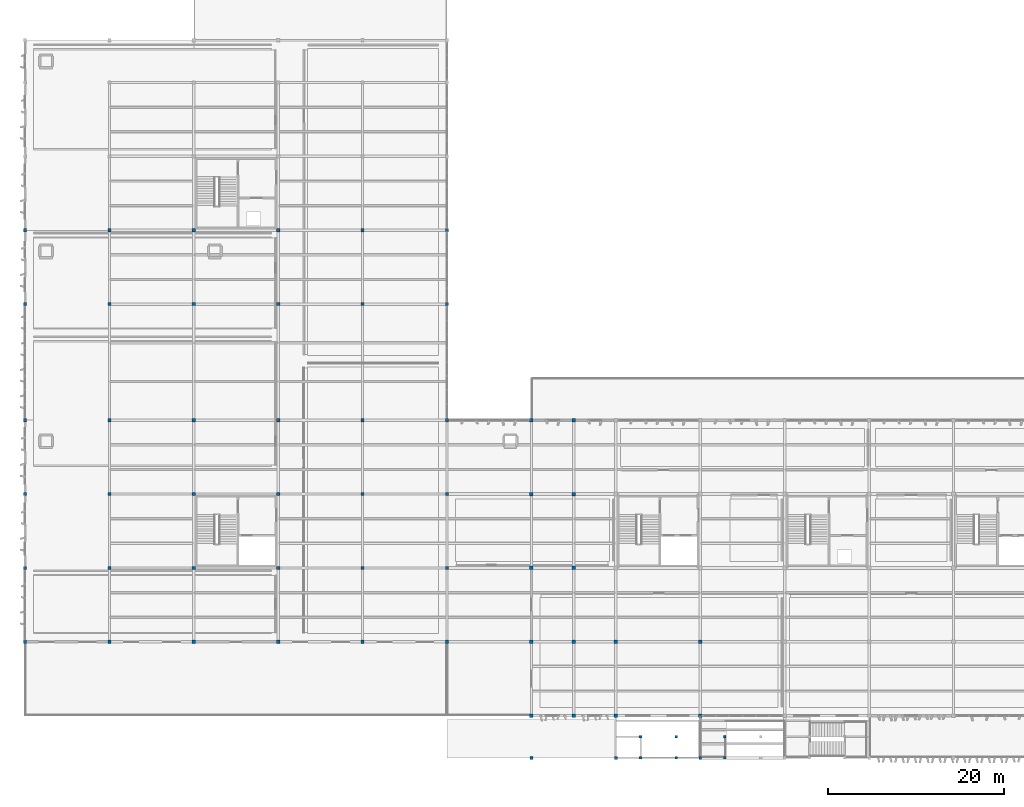
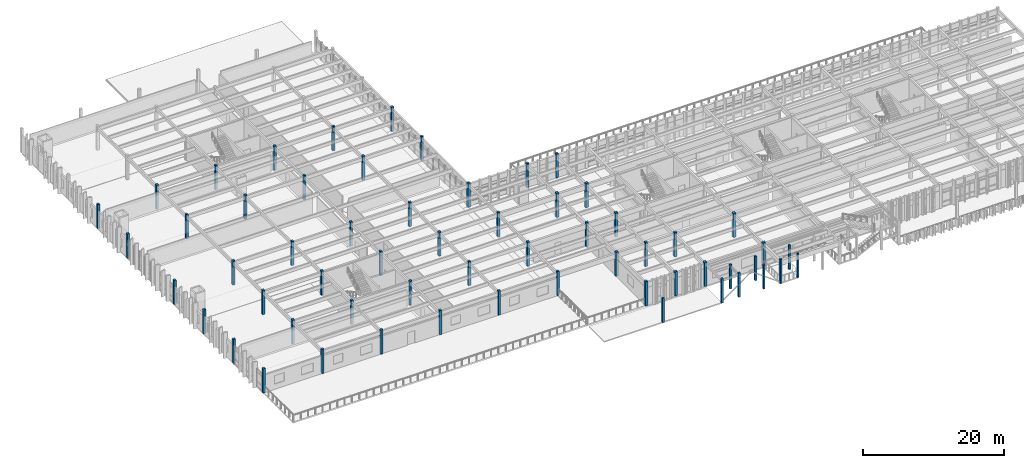
# One storey, part 1 of 61: 59 columns.
"""IFC4 building model written with IfcOpenShell, lengths in metres."""

import ifcopenshell
import ifcopenshell.guid

model = None  # the IFC model being written
_history = None  # IfcOwnerHistory: only IFC2X3 demands one
_inside = {}  # id of a spatial element -> (the spatial element, [elements in it])
_under = {}  # id of a project, library or spatial element -> (it, [spatial elements below it])
_declared = {}  # id of a project -> (the project, [libraries it declares])
_typed = {}  # id of a type object -> (the type object, [elements of that type])
_made_of = {}  # id of a material, layer set ... -> (it, [elements and type objects made of it])


def new_model(schema):
    """Start an empty IFC model of exactly this schema.

    Asked for "IFC4X3", IfcOpenShell would pick the latest addendum, in which some entities
    have other attributes; the version numbers below select the first issue.
    IFC2X3 requires an IfcOwnerHistory on every rooted entity: one is made here for all.
    """
    global model, _history
    if schema == "IFC4X3":
        model = ifcopenshell.file(schema_version=(4, 3, 0, 0))
    else:
        model = ifcopenshell.file(schema=schema)
    _inside.clear()
    _under.clear()
    _declared.clear()
    _typed.clear()
    _made_of.clear()
    _history = None
    if model.schema == "IFC2X3":
        org = make("IfcOrganization", Name="unknown")
        user = make(
            "IfcPersonAndOrganization",
            ThePerson=make("IfcPerson", FamilyName="unknown"),
            TheOrganization=org,
        )
        app = make(
            "IfcApplication",
            ApplicationDeveloper=org,
            Version="unknown",
            ApplicationFullName="unknown",
            ApplicationIdentifier="unknown",
        )
        _history = make(
            "IfcOwnerHistory",
            OwningUser=user,
            OwningApplication=app,
            ChangeAction="ADDED",
            CreationDate=0,
        )
    return model


def make(cls, **values):
    """One entity of the class cls with the attributes given. An attribute that is None is left unset."""
    return model.create_entity(
        cls, **{name: value for name, value in values.items() if value is not None}
    )


def rooted(cls, **values):
    """An entity with a GlobalId (a new one), such as an element, a storey or a relation."""
    return make(cls, GlobalId=ifcopenshell.guid.new(), OwnerHistory=_history, **values)


def si_unit(unit_type, name, prefix=None):
    """IfcSIUnit, for example si_unit("LENGTHUNIT", "METRE", prefix="MILLI")."""
    return make("IfcSIUnit", UnitType=unit_type, Prefix=prefix, Name=name)


def assignment(units):
    """IfcUnitAssignment: the units of a project."""
    return None if units is None else make("IfcUnitAssignment", Units=units)


def point(xyz):
    """IfcCartesianPoint."""
    return None if xyz is None else make("IfcCartesianPoint", Coordinates=xyz)


def direction(xyz):
    """IfcDirection."""
    return None if xyz is None else make("IfcDirection", DirectionRatios=xyz)


def frame(location, z_axis=None, x_axis=None):
    """IfcAxis2Placement3D, a coordinate frame: its origin and axes. An axis left out is left unset."""
    return make(
        "IfcAxis2Placement3D",
        Location=point(location),
        Axis=direction(z_axis),
        RefDirection=direction(x_axis),
    )


def frame_2d(location, x_axis=None):
    """IfcAxis2Placement2D, a coordinate frame in the plane: its origin and x axis."""
    return make(
        "IfcAxis2Placement2D", Location=point(location), RefDirection=direction(x_axis)
    )


def origin():
    """The frame at (0, 0, 0) with its axes left unset."""
    return frame((0.0, 0.0, 0.0))


def origin_2d():
    """The frame at (0, 0) in the plane with its x axis left unset."""
    return frame_2d((0.0, 0.0))


def place(relative_to, where):
    """IfcLocalPlacement: puts the frame where relative to a parent placement (None: the world)."""
    return make(
        "IfcLocalPlacement", PlacementRelTo=relative_to, RelativePlacement=where
    )


def context(
    kind, dimensions, precision=None, world=None, true_north=None, identifier=None
):
    """IfcGeometricRepresentationContext, for example the 3D "Model" context."""
    return make(
        "IfcGeometricRepresentationContext",
        ContextIdentifier=identifier,
        ContextType=kind,
        CoordinateSpaceDimension=dimensions,
        Precision=precision,
        WorldCoordinateSystem=world,
        TrueNorth=true_north,
    )


def subcontext(parent, identifier, kind, view, scale=None):
    """IfcGeometricRepresentationSubContext, for example "Body" below "Model"."""
    return make(
        "IfcGeometricRepresentationSubContext",
        ContextIdentifier=identifier,
        ContextType=kind,
        ParentContext=parent,
        TargetScale=scale,
        TargetView=view,
    )


def project(units=None, contexts=None):
    """IfcProject with its units and contexts."""
    return rooted(
        "IfcProject",
        Name="project",
        RepresentationContexts=contexts,
        UnitsInContext=assignment(units),
    )


def spatial(cls, under=None, at=None, **own):
    """A site, building, storey or space (cls), placed at a placement, below another one or the project."""
    s = rooted(cls, ObjectPlacement=at, **own)
    if under is not None:
        _under.setdefault(under.id(), (under, []))[1].append(s)
    return s


def profile(cls, at=None, kind="AREA", **sizes):
    """A parametric profile (cls). Its sizes go by their IFC names, for example OverallWidth=200.0."""
    return make(cls, ProfileType=kind, Position=at, **sizes)


def rectangle(**sizes):
    """IfcRectangleProfileDef."""
    return profile("IfcRectangleProfileDef", **sizes)


def extrude(swept, where, along, depth):
    """IfcExtrudedAreaSolid: the profile swept, set in the frame where, extruded along a direction by depth."""
    return make(
        "IfcExtrudedAreaSolid",
        SweptArea=swept,
        Position=where,
        ExtrudedDirection=direction(along),
        Depth=depth,
    )


def shape(context_of_items, identifier, shape_type, items):
    """IfcShapeRepresentation: the items that make up one representation, for example the "Body"."""
    return make(
        "IfcShapeRepresentation",
        ContextOfItems=context_of_items,
        RepresentationIdentifier=identifier,
        RepresentationType=shape_type,
        Items=items,
    )


def material(Name=None, Category=None):
    """IfcMaterial."""
    return make("IfcMaterial", Name=Name, Category=Category)


def material_profile(
    of_material, cross_section, Name=None, Category=None, Priority=None
):
    """IfcMaterialProfile: a cross section and its material."""
    return make(
        "IfcMaterialProfile",
        Name=Name,
        Material=of_material,
        Profile=cross_section,
        Priority=Priority,
        Category=Category,
    )


def profile_set(profiles, Name=None, composite=None):
    """IfcMaterialProfileSet."""
    return make(
        "IfcMaterialProfileSet",
        Name=Name,
        MaterialProfiles=profiles,
        CompositeProfile=composite,
    )


def made_of(thing, what):
    """Note that an element or type object is made of a material, layer set ...; save() writes the relation."""
    if what is not None:
        _made_of.setdefault(what.id(), (what, []))[1].append(thing)
    return thing


def type_object(cls, material=None, **own):
    """A type object (cls), such as IfcWallType, which elements share."""
    return made_of(rooted(cls, **own), material)


def element(
    cls,
    number,
    at=None,
    inside=None,
    cuts=None,
    type_object=None,
    material=None,
    context=None,
    identifier="Body",
    shape_type=None,
    held_by="IfcProductDefinitionShape",
    body=None,
    shapes=None,
    **own,
):
    """One element of the class cls, such as IfcWall. Its Tag is "e" and its number.

    at: its placement. inside: the storey or other place that contains it. cuts: it is an
    opening in that element (IfcRelVoidsElement). A single representation is given by context,
    identifier, shape_type and body (its items); several are given by shapes. held_by: the class
    of the entity that holds the representations. save() writes the other relations.
    """
    e = rooted(cls, Tag="e%d" % number, ObjectPlacement=at, **own)
    if body is not None:
        shapes = [shape(context, identifier, shape_type, body)]
    if shapes is not None:
        e.Representation = make(held_by, Representations=shapes)
    if inside is not None:
        _inside.setdefault(inside.id(), (inside, []))[1].append(e)
    if cuts is not None:
        rooted(
            "IfcRelVoidsElement", RelatingBuildingElement=cuts, RelatedOpeningElement=e
        )
    if type_object is not None:
        _typed.setdefault(type_object.id(), (type_object, []))[1].append(e)
    return made_of(e, material)


def aggregate(whole, parts):
    """IfcRelAggregates: a whole, such as a stair, and the parts it consists of."""
    return rooted("IfcRelAggregates", RelatingObject=whole, RelatedObjects=parts)


def save(model, path):
    """Write the relations noted so far, then the file.

    IfcRelAggregates (storeys below a building ...), IfcRelContainedInSpatialStructure (elements
    in a storey), IfcRelDefinesByType, IfcRelAssociatesMaterial and IfcRelDeclares: one each for
    every whole, place, type object, material and project.
    """
    for whole, parts in _under.values():
        aggregate(whole, parts)
    for where, things in _inside.values():
        rooted(
            "IfcRelContainedInSpatialStructure",
            RelatedElements=things,
            RelatingStructure=where,
        )
    for kind, things in _typed.values():
        rooted("IfcRelDefinesByType", RelatedObjects=things, RelatingType=kind)
    for what, things in _made_of.values():
        rooted("IfcRelAssociatesMaterial", RelatedObjects=things, RelatingMaterial=what)
    for by, libraries in _declared.values():
        rooted("IfcRelDeclares", RelatingContext=by, RelatedDefinitions=libraries)
    model.write(path)


model = new_model("IFC4")

# Units and contexts
model_context = context("Model", 3, precision=1e-05, world=origin(), true_north=direction((0.0, 1.0)))
body_context = subcontext(model_context, "Body", "Model", "MODEL_VIEW")
ifc_project = project(units=[si_unit("LENGTHUNIT", "METRE"), si_unit("AREAUNIT", "SQUARE_METRE"), si_unit("VOLUMEUNIT", "CUBIC_METRE"), si_unit("PLANEANGLEUNIT", "RADIAN"), si_unit("MASSUNIT", "GRAM", prefix="KILO")], contexts=[model_context])

# Site, building, storey
site_placement = place(None, origin())
site = spatial("IfcSite", under=ifc_project, at=site_placement, CompositionType="ELEMENT")
building_placement = place(site_placement, origin())
building = spatial("IfcBuilding", under=site, at=building_placement, Name="Kolvemor Railside Polytechnic", CompositionType="ELEMENT")
storey_placement = place(building_placement, frame((0.0, 0.0, 10.199951171875)))
storey = spatial("IfcBuildingStorey", under=building, at=storey_placement, Name="L02", CompositionType="ELEMENT", Elevation=10.199951171875)

# Columns
ifc_material_1 = material(Name="Glulam GL28h", Category="wood")
ifc_material_profile_1 = material_profile(ifc_material_1, rectangle(XDim=0.2900390625, YDim=0.2900390625, at=origin_2d()), Name="GL290x290")
ifc_profile_set_1 = profile_set([ifc_material_profile_1], Name="Glulam GL28h")
column_type_1 = type_object("IfcColumnType", Name="COL-GL290", PredefinedType="COLUMN", material=ifc_profile_set_1)
for number, where, z_axis, x_axis, name in (
    (1, (70.0, 0.0, 0.0), (0.0, 0.0, 1.0), (1.0, 0.0, 0.0), "Column L02-C072"),
    (2, (70.0, 2.39990234375, 0.0), (0.0, 0.0, 1.0), (1.0, 0.0, 0.0), "Column L02-C073"),
    (3, (74.050048828125, 0.0, 0.0), (0.0, 0.0, 1.0), (1.0, 0.0, 0.0), "Column L02-C074"),
    (4, (74.050048828125, 2.39990234375, 0.0), (0.0, 0.0, 1.0), (1.0, 0.0, 0.0), "Column L02-C075"),
    (5, (79.60009765625, 0.0, 0.0), (0.0, 0.0, 1.0), (1.0, 0.0, 0.0), "Column L02-C082"),
    (6, (79.60009765625, 2.39990234375, 0.0), (0.0, 0.0, 1.0), (1.0, 0.0, 0.0), "Column L02-C083"),
):
    element("IfcColumn", number, at=place(storey_placement, frame(where, z_axis=z_axis, x_axis=x_axis)), inside=storey, type_object=column_type_1, Name=name, PredefinedType="COLUMN", context=body_context, shape_type="SweptSolid", body=[
        extrude(rectangle(XDim=0.2900390625, YDim=0.2900390625, at=origin_2d()), origin(), (0.0, 0.0, 1.0), 4.199951171875),
    ])
ifc_material_2 = material(Name="Glulam GL28h", Category="wood")
ifc_material_profile_2 = material_profile(ifc_material_2, rectangle(XDim=0.31494140625, YDim=0.31494140625, at=origin_2d()), Name="GL315x315")
ifc_profile_set_2 = profile_set([ifc_material_profile_2], Name="Glulam GL28h")
column_type_2 = type_object("IfcColumnType", Name="COL-GL315", PredefinedType="COLUMN", material=ifc_profile_set_2)
for number, where, z_axis, x_axis, name in (
    (7, (57.60009765625, 0.0, 0.0), (0.0, 0.0, 1.0), (1.0, 0.0, 0.0), "Column L02-C055"),
    (8, (67.199951171875, 0.0, 0.0), (0.0, 0.0, 1.0), (1.0, 0.0, 0.0), "Column L02-C066"),
    (9, (76.800048828125, 0.0, 0.0), (0.0, 0.0, 1.0), (1.0, 0.0, 0.0), "Column L02-C076"),
):
    element("IfcColumn", number, at=place(storey_placement, frame(where, z_axis=z_axis, x_axis=x_axis)), inside=storey, type_object=column_type_2, Name=name, PredefinedType="COLUMN", context=body_context, shape_type="SweptSolid", body=[
        extrude(rectangle(XDim=0.31494140625, YDim=0.31494140625, at=origin_2d()), origin(), (0.0, 0.0, 1.0), 4.199951171875),
    ])
ifc_material_3 = material(Name="Glulam GL28h", Category="wood")
ifc_material_profile_3 = material_profile(ifc_material_3, rectangle(XDim=0.364990234375, YDim=0.364990234375, at=origin_2d()), Name="GL365x365")
ifc_profile_set_3 = profile_set([ifc_material_profile_3], Name="Glulam GL28h")
column_type_3 = type_object("IfcColumnType", Name="COL-GL365", PredefinedType="COLUMN", material=ifc_profile_set_3)
for number, where, z_axis, x_axis, name in (
    (10, (0.0, 13.199951171875, 0.0), (0.0, 0.0, 1.0), (1.0, 0.0, 0.0), "Column L02-C001"),
    (11, (0.0, 21.60009765625, 0.0), (0.0, 0.0, 1.0), (1.0, 0.0, 0.0), "Column L02-C002"),
    (12, (0.0, 30.0, 0.0), (0.0, 0.0, 1.0), (1.0, 0.0, 0.0), "Column L02-C003"),
    (13, (0.0, 38.39990234375, 0.0), (0.0, 0.0, 1.0), (1.0, 0.0, 0.0), "Column L02-C004"),
    (14, (0.0, 51.60009765625, 0.0), (0.0, 0.0, 1.0), (1.0, 0.0, 0.0), "Column L02-C005"),
    (15, (0.0, 60.0, 0.0), (0.0, 0.0, 1.0), (1.0, 0.0, 0.0), "Column L02-C006"),
    (16, (9.60009765625, 13.199951171875, 0.0), (0.0, 0.0, 1.0), (1.0, 0.0, 0.0), "Column L02-C010"),
    (17, (9.60009765625, 21.60009765625, 0.0), (0.0, 0.0, 1.0), (1.0, 0.0, 0.0), "Column L02-C011"),
    (18, (9.60009765625, 30.0, 0.0), (0.0, 0.0, 1.0), (1.0, 0.0, 0.0), "Column L02-C012"),
    (19, (9.60009765625, 38.39990234375, 0.0), (0.0, 0.0, 1.0), (1.0, 0.0, 0.0), "Column L02-C013"),
    (20, (9.60009765625, 51.60009765625, 0.0), (0.0, 0.0, 1.0), (1.0, 0.0, 0.0), "Column L02-C014"),
    (21, (9.60009765625, 60.0, 0.0), (0.0, 0.0, 1.0), (1.0, 0.0, 0.0), "Column L02-C015"),
    (22, (19.199951171875, 13.199951171875, 0.0), (0.0, 0.0, 1.0), (1.0, 0.0, 0.0), "Column L02-C019"),
    (23, (19.199951171875, 21.60009765625, 0.0), (0.0, 0.0, 1.0), (1.0, 0.0, 0.0), "Column L02-C020"),
    (24, (19.199951171875, 30.0, 0.0), (0.0, 0.0, 1.0), (1.0, 0.0, 0.0), "Column L02-C021"),
    (25, (19.199951171875, 38.39990234375, 0.0), (0.0, 0.0, 1.0), (1.0, 0.0, 0.0), "Column L02-C022"),
    (26, (19.199951171875, 51.60009765625, 0.0), (0.0, 0.0, 1.0), (1.0, 0.0, 0.0), "Column L02-C023"),
    (27, (19.199951171875, 60.0, 0.0), (0.0, 0.0, 1.0), (1.0, 0.0, 0.0), "Column L02-C024"),
    (28, (28.800048828125, 13.199951171875, 0.0), (0.0, 0.0, 1.0), (1.0, 0.0, 0.0), "Column L02-C028"),
    (29, (28.800048828125, 21.60009765625, 0.0), (0.0, 0.0, 1.0), (1.0, 0.0, 0.0), "Column L02-C029"),
    (30, (28.800048828125, 30.0, 0.0), (0.0, 0.0, 1.0), (1.0, 0.0, 0.0), "Column L02-C030"),
    (31, (28.800048828125, 38.39990234375, 0.0), (0.0, 0.0, 1.0), (1.0, 0.0, 0.0), "Column L02-C031"),
    (32, (28.800048828125, 51.60009765625, 0.0), (0.0, 0.0, 1.0), (1.0, 0.0, 0.0), "Column L02-C032"),
    (33, (28.800048828125, 60.0, 0.0), (0.0, 0.0, 1.0), (1.0, 0.0, 0.0), "Column L02-C033"),
    (34, (38.39990234375, 13.199951171875, 0.0), (0.0, 0.0, 1.0), (1.0, 0.0, 0.0), "Column L02-C037"),
    (35, (38.39990234375, 21.60009765625, 0.0), (0.0, 0.0, 1.0), (1.0, 0.0, 0.0), "Column L02-C038"),
    (36, (38.39990234375, 30.0, 0.0), (0.0, 0.0, 1.0), (1.0, 0.0, 0.0), "Column L02-C039"),
    (37, (38.39990234375, 38.39990234375, 0.0), (0.0, 0.0, 1.0), (1.0, 0.0, 0.0), "Column L02-C040"),
    (38, (38.39990234375, 51.60009765625, 0.0), (0.0, 0.0, 1.0), (1.0, 0.0, 0.0), "Column L02-C041"),
    (39, (38.39990234375, 60.0, 0.0), (0.0, 0.0, 1.0), (1.0, 0.0, 0.0), "Column L02-C042"),
    (40, (48.0, 13.199951171875, 0.0), (0.0, 0.0, 1.0), (1.0, 0.0, 0.0), "Column L02-C046"),
    (41, (48.0, 21.60009765625, 0.0), (0.0, 0.0, 1.0), (1.0, 0.0, 0.0), "Column L02-C047"),
    (42, (48.0, 30.0, 0.0), (0.0, 0.0, 1.0), (1.0, 0.0, 0.0), "Column L02-C048"),
    (43, (48.0, 38.39990234375, 0.0), (0.0, 0.0, 1.0), (1.0, 0.0, 0.0), "Column L02-C049"),
    (44, (48.0, 51.60009765625, 0.0), (0.0, 0.0, 1.0), (1.0, 0.0, 0.0), "Column L02-C050"),
    (45, (48.0, 60.0, 0.0), (0.0, 0.0, 1.0), (1.0, 0.0, 0.0), "Column L02-C051"),
):
    element("IfcColumn", number, at=place(storey_placement, frame(where, z_axis=z_axis, x_axis=x_axis)), inside=storey, type_object=column_type_3, Name=name, PredefinedType="COLUMN", context=body_context, shape_type="SweptSolid", body=[
        extrude(rectangle(XDim=0.364990234375, YDim=0.364990234375, at=origin_2d()), origin(), (0.0, 0.0, 1.0), 4.199951171875),
    ])
ifc_material_4 = material(Name="Glulam GL28h", Category="wood")
ifc_material_profile_4 = material_profile(ifc_material_4, rectangle(XDim=0.39990234375, YDim=0.39990234375, at=origin_2d()), Name="GL400x400")
ifc_profile_set_4 = profile_set([ifc_material_profile_4], Name="Glulam GL28h")
column_type_4 = type_object("IfcColumnType", Name="COL-GL400", PredefinedType="COLUMN", material=ifc_profile_set_4)
for number, where, z_axis, x_axis, name in (
    (46, (57.60009765625, 4.800048828125, 0.0), (0.0, 0.0, 1.0), (1.0, 0.0, 0.0), "Column L02-C056"),
    (47, (57.60009765625, 13.199951171875, 0.0), (0.0, 0.0, 1.0), (1.0, 0.0, 0.0), "Column L02-C057"),
    (48, (57.60009765625, 21.60009765625, 0.0), (0.0, 0.0, 1.0), (1.0, 0.0, 0.0), "Column L02-C058"),
    (49, (57.60009765625, 30.0, 0.0), (0.0, 0.0, 1.0), (1.0, 0.0, 0.0), "Column L02-C059"),
    (50, (57.60009765625, 38.39990234375, 0.0), (0.0, 0.0, 1.0), (1.0, 0.0, 0.0), "Column L02-C060"),
    (51, (62.39990234375, 4.800048828125, 0.0), (0.0, 0.0, 1.0), (1.0, 0.0, 0.0), "Column L02-C061"),
    (52, (62.39990234375, 13.199951171875, 0.0), (0.0, 0.0, 1.0), (1.0, 0.0, 0.0), "Column L02-C062"),
    (53, (62.39990234375, 21.60009765625, 0.0), (0.0, 0.0, 1.0), (1.0, 0.0, 0.0), "Column L02-C063"),
    (54, (62.39990234375, 30.0, 0.0), (0.0, 0.0, 1.0), (1.0, 0.0, 0.0), "Column L02-C064"),
    (55, (62.39990234375, 38.39990234375, 0.0), (0.0, 0.0, 1.0), (1.0, 0.0, 0.0), "Column L02-C065"),
):
    element("IfcColumn", number, at=place(storey_placement, frame(where, z_axis=z_axis, x_axis=x_axis)), inside=storey, type_object=column_type_4, Name=name, PredefinedType="COLUMN", context=body_context, shape_type="SweptSolid", body=[
        extrude(rectangle(XDim=0.39990234375, YDim=0.39990234375, at=origin_2d()), origin(), (0.0, 0.0, 1.0), 4.199951171875),
    ])
ifc_material_5 = material(Name="Glulam GL28h", Category="wood")
ifc_material_profile_5 = material_profile(ifc_material_5, rectangle(XDim=0.419921875, YDim=0.419921875, at=origin_2d()), Name="GL420x420")
ifc_profile_set_5 = profile_set([ifc_material_profile_5], Name="Glulam GL28h")
column_type_5 = type_object("IfcColumnType", Name="COL-GL420", PredefinedType="COLUMN", material=ifc_profile_set_5)
for number, where, z_axis, x_axis, name in (
    (56, (67.199951171875, 4.800048828125, 0.0), (0.0, 0.0, 1.0), (1.0, 0.0, 0.0), "Column L02-C067"),
    (57, (67.199951171875, 13.199951171875, 0.0), (0.0, 0.0, 1.0), (1.0, 0.0, 0.0), "Column L02-C068"),
    (58, (76.800048828125, 4.800048828125, 0.0), (0.0, 0.0, 1.0), (1.0, 0.0, 0.0), "Column L02-C077"),
    (59, (76.800048828125, 13.199951171875, 0.0), (0.0, 0.0, 1.0), (1.0, 0.0, 0.0), "Column L02-C078"),
):
    element("IfcColumn", number, at=place(storey_placement, frame(where, z_axis=z_axis, x_axis=x_axis)), inside=storey, type_object=column_type_5, Name=name, PredefinedType="COLUMN", context=body_context, shape_type="SweptSolid", body=[
        extrude(rectangle(XDim=0.419921875, YDim=0.419921875, at=origin_2d()), origin(), (0.0, 0.0, 1.0), 4.199951171875),
    ])

save(model, "model.ifc")
